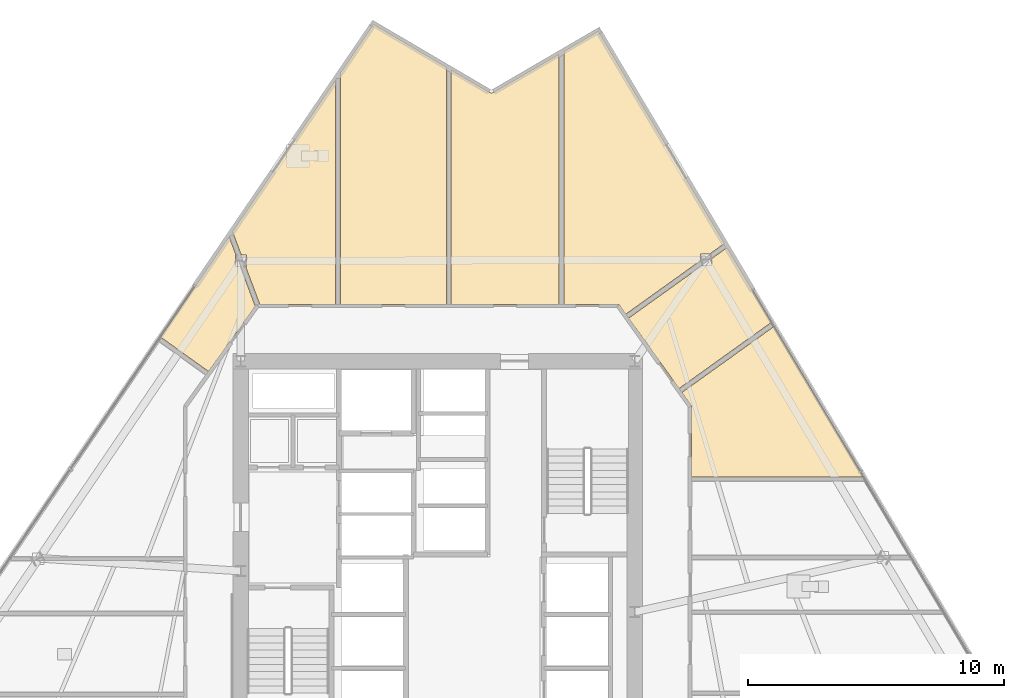
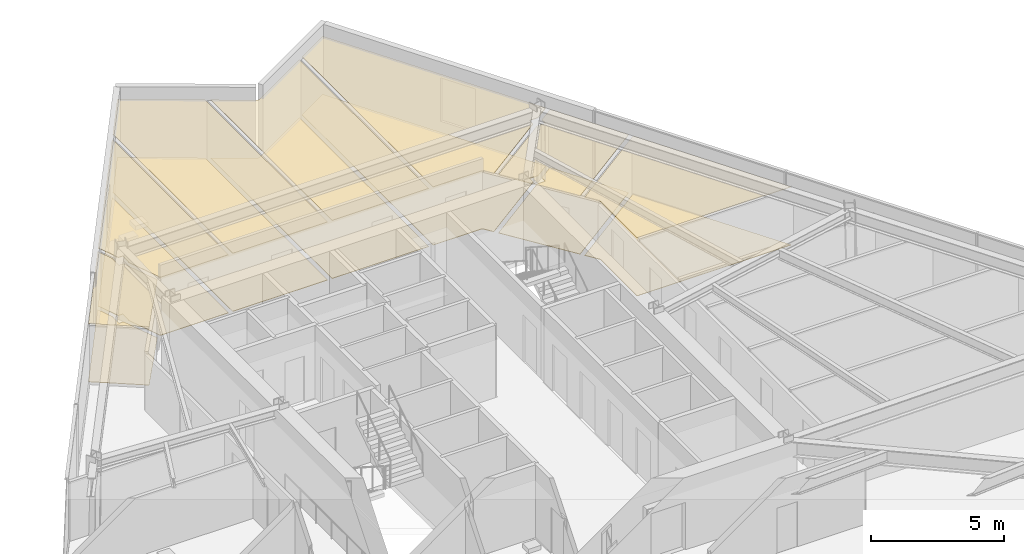
# One storey, part 16 of 17: 14 coverings.
"""IFC4 building model written with IfcOpenShell, lengths in metres."""

from ifc_helpers import new_model, si_unit, direction, frame, origin, place, context, subcontext, project, spatial, polyline, outline, extrude, material, layer, layer_set, type_object, element, save


model = new_model("IFC4")

# Units and contexts
model_context = context("Model", 3, precision=1e-05, world=origin(), true_north=direction((0.0, 1.0)))
body_context = subcontext(model_context, "Body", "Model", "MODEL_VIEW")
ifc_project = project(units=[si_unit("LENGTHUNIT", "METRE"), si_unit("AREAUNIT", "SQUARE_METRE"), si_unit("VOLUMEUNIT", "CUBIC_METRE"), si_unit("PLANEANGLEUNIT", "RADIAN"), si_unit("MASSUNIT", "GRAM", prefix="KILO")], contexts=[model_context])

# Site, building, storey
site_placement = place(None, origin())
site = spatial("IfcSite", under=ifc_project, at=site_placement, CompositionType="ELEMENT")
building_placement = place(site_placement, origin())
building = spatial("IfcBuilding", under=site, at=building_placement, Name="Savorim Split Tower", CompositionType="ELEMENT")
storey_placement = place(building_placement, frame((0.0, 0.0, 58.800048828125)))
storey = spatial("IfcBuildingStorey", under=building, at=storey_placement, Name="L15", CompositionType="ELEMENT", Elevation=58.800048828125)

# Coverings
ifc_material_1 = material(Name="Mineral Fibre Acoustic Ceiling")
ifc_layer_1 = layer(ifc_material_1, 0.02490234375)
ifc_layer_set_1 = layer_set([ifc_layer_1], Name="COV-CEIL-25")
covering_type_1 = type_object("IfcCoveringType", Name="COV-CEIL-25", PredefinedType="CEILING", material=ifc_layer_set_1)
covering_1_placement = place(storey_placement, frame((0.0, 0.0, 2.669921875)))
element("IfcCovering", 1, at=covering_1_placement, inside=storey, type_object=covering_type_1, Name="L15 Co-Living Bedroom Acoustic Ceiling", PredefinedType="CEILING", context=body_context, shape_type="SweptSolid", body=[
    extrude(outline(polyline([(9.9169921875, 8.4287109375), (9.919189453125, 8.41455078125), (9.919921875, 8.39990234375), (9.919921875, 5.677734375), (16.631591796875, 5.677734375), (13.137939453125, 11.55322265625), (9.5400390625, 8.975341796875), (9.893798828125, 8.4814453125), (9.901611328125, 8.46923828125), (9.908203125, 8.456298828125), (9.913330078125, 8.44287109375), (9.9169921875, 8.4287109375)])), origin(), (0.0, 0.0, 1.0), 0.025146484375),
])
covering_2_placement = place(storey_placement, frame((0.0, 0.0, 2.669921875)))
element("IfcCovering", 2, at=covering_2_placement, inside=storey, type_object=covering_type_1, Name="L15 Maker Workshop Acoustic Ceiling", PredefinedType="CEILING", context=body_context, shape_type="SweptSolid", body=[
    extrude(outline(polyline([(10.32958984375, 13.935791015625), (7.459228515625, 11.87939453125), (7.459228515625, 11.87939453125), (9.429443359375, 9.129638671875), (13.04052734375, 11.717041015625), (11.305419921875, 14.635009765625), (10.699951171875, 14.201416015625), (10.699951171875, 13.935791015625), (10.32958984375, 13.935791015625)])), origin(), (0.0, 0.0, 1.0), 0.025146484375),
])
covering_3_placement = place(storey_placement, frame((0.0, 0.0, 2.669921875)))
element("IfcCovering", 3, at=covering_3_placement, inside=storey, type_object=covering_type_1, Name="L15 Maker Workshop Acoustic Ceiling", PredefinedType="CEILING", context=body_context, shape_type="SweptSolid", body=[
    extrude(outline(polyline([(11.16064453125, 14.764892578125), (11.2080078125, 14.798828125), (6.276123046875, 23.093017578125), (4.931396484375, 22.30908203125), (4.931396484375, 12.419921875), (7.0, 12.419921875), (7.01318359375, 12.41943359375), (7.0263671875, 12.41748046875), (7.039306640625, 12.414306640625), (7.052001953125, 12.409912109375), (7.06396484375, 12.404541015625), (7.075439453125, 12.39794921875), (7.086181640625, 12.39013671875), (7.096435546875, 12.381591796875), (7.105712890625, 12.3720703125), (7.11376953125, 12.361572265625), (7.3486328125, 12.03369140625), (10.26806640625, 14.12548828125), (10.26806640625, 14.390869140625), (10.638427734375, 14.390869140625), (11.16064453125, 14.764892578125)])), origin(), (0.0, 0.0, 1.0), 0.025146484375),
])
covering_4_placement = place(storey_placement, frame((0.0, 0.0, 2.669921875)))
element("IfcCovering", 4, at=covering_4_placement, inside=storey, type_object=covering_type_1, Name="L15 Quiet Study Room Acoustic Ceiling", PredefinedType="CEILING", context=body_context, shape_type="SweptSolid", body=[
    extrude(outline(polyline([(2.05859375, 20.683837890625), (2.0478515625, 20.688232421875), (2.03759765625, 20.693603515625), (0.527587890625, 21.5810546875), (0.527587890625, 12.419921875), (4.741455078125, 12.419921875), (4.741455078125, 22.198486328125), (2.15869140625, 20.693359375), (2.148681640625, 20.68798828125), (2.137939453125, 20.68359375), (2.126708984375, 20.680419921875), (2.115478515625, 20.67822265625), (2.10400390625, 20.677001953125), (2.09228515625, 20.677001953125), (2.080810546875, 20.67822265625), (2.069580078125, 20.680419921875), (2.05859375, 20.683837890625)])), origin(), (0.0, 0.0, 1.0), 0.025146484375),
])
covering_5_placement = place(storey_placement, frame((0.0, 0.0, 2.669921875)))
element("IfcCovering", 5, at=covering_5_placement, inside=storey, type_object=covering_type_1, Name="L15 Maker Workshop Acoustic Ceiling", PredefinedType="CEILING", context=body_context, shape_type="SweptSolid", body=[
    extrude(outline(polyline([(-3.79638671875, 12.419921875), (0.337646484375, 12.419921875), (0.337646484375, 21.692626953125), (-2.510009765625, 23.3662109375), (-3.79638671875, 21.47509765625), (-3.79638671875, 12.419921875)])), origin(), (0.0, 0.0, 1.0), 0.025146484375),
])
covering_6_placement = place(storey_placement, frame((0.0, 0.0, 2.669921875)))
element("IfcCovering", 6, at=covering_6_placement, inside=storey, type_object=covering_type_1, Name="L15 Shared Bathroom Acoustic Ceiling", PredefinedType="CEILING", context=body_context, shape_type="SweptSolid", body=[
    extrude(outline(polyline([(-7.504638671875, 13.88720703125), (-6.962890625, 12.443359375), (-6.9541015625, 12.419921875), (-3.986328125, 12.419921875), (-3.986328125, 21.19580078125), (-8.0537109375, 15.216796875), (-8.009521484375, 15.2333984375), (-7.67529296875, 14.342041015625), (-7.475341796875, 14.342041015625), (-7.475341796875, 13.88720703125), (-7.504638671875, 13.88720703125)])), origin(), (0.0, 0.0, 1.0), 0.025146484375),
])
covering_7_placement = place(storey_placement, frame((0.0, 0.0, 2.669921875)))
element("IfcCovering", 7, at=covering_7_placement, inside=storey, type_object=covering_type_1, Name="L15 Co-Working Commons Acoustic Ceiling", PredefinedType="CEILING", context=body_context, shape_type="SweptSolid", body=[
    extrude(outline(polyline([(-10.827392578125, 11.139404296875), (-8.9521484375, 9.795654296875), (-7.127685546875, 12.342041015625), (-7.70751953125, 13.88720703125), (-7.907470703125, 13.88720703125), (-7.907470703125, 14.342041015625), (-7.878173828125, 14.342041015625), (-8.152099609375, 15.072265625), (-10.827392578125, 11.139404296875)])), origin(), (0.0, 0.0, 1.0), 0.025146484375),
])
ifc_material_2 = material(Name="Porcelain Stoneware Flooring", Category="masonry")
ifc_layer_2 = layer(ifc_material_2, 0.02001953125)
ifc_layer_set_2 = layer_set([ifc_layer_2], Name="COV-FLOR-20")
covering_type_2 = type_object("IfcCoveringType", Name="COV-FLOR-20", PredefinedType="FLOORING", material=ifc_layer_set_2)
covering_8_placement = place(storey_placement, origin())
element("IfcCovering", 8, at=covering_8_placement, inside=storey, type_object=covering_type_2, Name="L15 Co-Living Bedroom Porcelain Flooring", PredefinedType="FLOORING", context=body_context, shape_type="SweptSolid", body=[
    extrude(outline(polyline([(9.9169921875, 8.4287109375), (9.919189453125, 8.41455078125), (9.919921875, 8.39990234375), (9.919921875, 5.677734375), (16.631591796875, 5.677734375), (13.137939453125, 11.55322265625), (9.5400390625, 8.975341796875), (9.893798828125, 8.4814453125), (9.901611328125, 8.46923828125), (9.908203125, 8.456298828125), (9.913330078125, 8.44287109375), (9.9169921875, 8.4287109375)])), origin(), (0.0, 0.0, 1.0), 0.02001953125),
])
covering_9_placement = place(storey_placement, origin())
element("IfcCovering", 9, at=covering_9_placement, inside=storey, type_object=covering_type_2, Name="L15 Maker Workshop Porcelain Flooring", PredefinedType="FLOORING", context=body_context, shape_type="SweptSolid", body=[
    extrude(outline(polyline([(10.32958984375, 13.935791015625), (7.459228515625, 11.87939453125), (7.459228515625, 11.87939453125), (9.429443359375, 9.129638671875), (13.04052734375, 11.717041015625), (11.305419921875, 14.635009765625), (10.699951171875, 14.201416015625), (10.699951171875, 13.935791015625), (10.32958984375, 13.935791015625)])), origin(), (0.0, 0.0, 1.0), 0.02001953125),
])
covering_10_placement = place(storey_placement, origin())
element("IfcCovering", 10, at=covering_10_placement, inside=storey, type_object=covering_type_2, Name="L15 Maker Workshop Porcelain Flooring", PredefinedType="FLOORING", context=body_context, shape_type="SweptSolid", body=[
    extrude(outline(polyline([(11.16064453125, 14.764892578125), (11.2080078125, 14.798828125), (6.276123046875, 23.093017578125), (4.931396484375, 22.30908203125), (4.931396484375, 12.419921875), (7.0, 12.419921875), (7.01318359375, 12.41943359375), (7.0263671875, 12.41748046875), (7.039306640625, 12.414306640625), (7.052001953125, 12.409912109375), (7.06396484375, 12.404541015625), (7.075439453125, 12.39794921875), (7.086181640625, 12.39013671875), (7.096435546875, 12.381591796875), (7.105712890625, 12.3720703125), (7.11376953125, 12.361572265625), (7.3486328125, 12.03369140625), (10.26806640625, 14.12548828125), (10.26806640625, 14.390869140625), (10.638427734375, 14.390869140625), (11.16064453125, 14.764892578125)])), origin(), (0.0, 0.0, 1.0), 0.02001953125),
])
covering_11_placement = place(storey_placement, origin())
element("IfcCovering", 11, at=covering_11_placement, inside=storey, type_object=covering_type_2, Name="L15 Quiet Study Room Porcelain Flooring", PredefinedType="FLOORING", context=body_context, shape_type="SweptSolid", body=[
    extrude(outline(polyline([(2.05859375, 20.683837890625), (2.0478515625, 20.688232421875), (2.03759765625, 20.693603515625), (0.527587890625, 21.5810546875), (0.527587890625, 12.419921875), (4.741455078125, 12.419921875), (4.741455078125, 22.198486328125), (2.15869140625, 20.693359375), (2.148681640625, 20.68798828125), (2.137939453125, 20.68359375), (2.126708984375, 20.680419921875), (2.115478515625, 20.67822265625), (2.10400390625, 20.677001953125), (2.09228515625, 20.677001953125), (2.080810546875, 20.67822265625), (2.069580078125, 20.680419921875), (2.05859375, 20.683837890625)])), origin(), (0.0, 0.0, 1.0), 0.02001953125),
])
covering_12_placement = place(storey_placement, origin())
element("IfcCovering", 12, at=covering_12_placement, inside=storey, type_object=covering_type_2, Name="L15 Maker Workshop Porcelain Flooring", PredefinedType="FLOORING", context=body_context, shape_type="SweptSolid", body=[
    extrude(outline(polyline([(-3.79638671875, 12.419921875), (0.337646484375, 12.419921875), (0.337646484375, 21.692626953125), (-2.510009765625, 23.3662109375), (-3.79638671875, 21.47509765625), (-3.79638671875, 12.419921875)])), origin(), (0.0, 0.0, 1.0), 0.02001953125),
])
covering_13_placement = place(storey_placement, origin())
element("IfcCovering", 13, at=covering_13_placement, inside=storey, type_object=covering_type_2, Name="L15 Shared Bathroom Porcelain Flooring", PredefinedType="FLOORING", context=body_context, shape_type="SweptSolid", body=[
    extrude(outline(polyline([(-7.504638671875, 13.88720703125), (-6.962890625, 12.443359375), (-6.9541015625, 12.419921875), (-3.986328125, 12.419921875), (-3.986328125, 21.19580078125), (-8.0537109375, 15.216796875), (-8.009521484375, 15.2333984375), (-7.67529296875, 14.342041015625), (-7.475341796875, 14.342041015625), (-7.475341796875, 13.88720703125), (-7.504638671875, 13.88720703125)])), origin(), (0.0, 0.0, 1.0), 0.02001953125),
])
covering_14_placement = place(storey_placement, origin())
element("IfcCovering", 14, at=covering_14_placement, inside=storey, type_object=covering_type_2, Name="L15 Co-Working Commons Porcelain Flooring", PredefinedType="FLOORING", context=body_context, shape_type="SweptSolid", body=[
    extrude(outline(polyline([(-10.827392578125, 11.139404296875), (-8.9521484375, 9.795654296875), (-7.127685546875, 12.342041015625), (-7.70751953125, 13.88720703125), (-7.907470703125, 13.88720703125), (-7.907470703125, 14.342041015625), (-7.878173828125, 14.342041015625), (-8.152099609375, 15.072265625), (-10.827392578125, 11.139404296875)])), origin(), (0.0, 0.0, 1.0), 0.02001953125),
])

save(model, "model.ifc")
